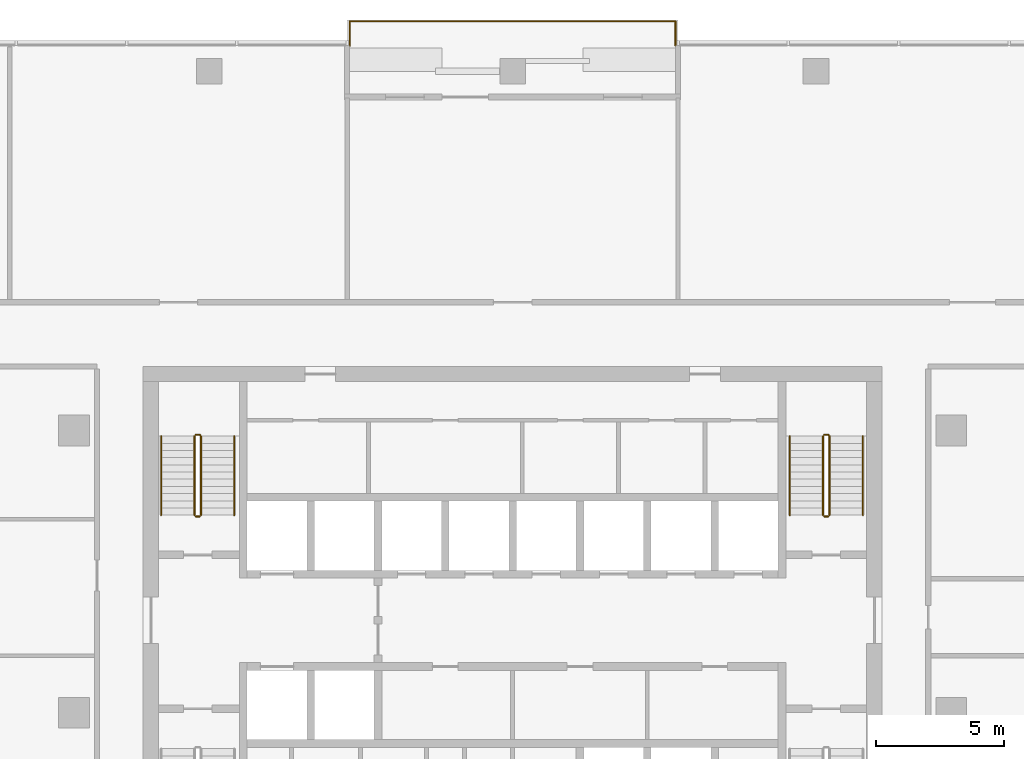
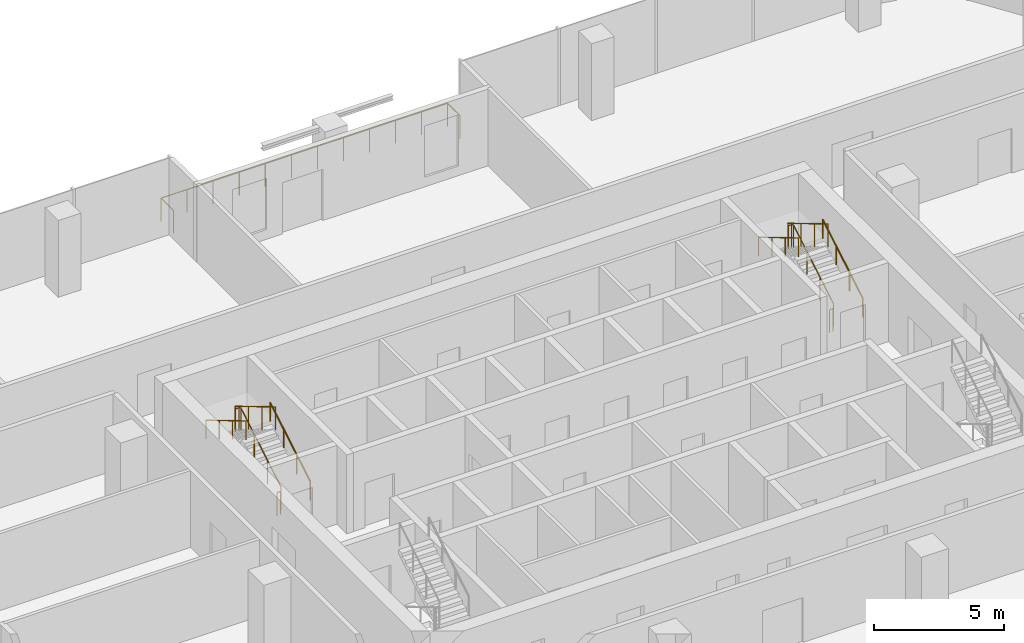
# One storey, part 13 of 13: 11 railings.
"""IFC4 building model written with IfcOpenShell, lengths in metres."""

from ifc_helpers import new_model, si_unit, direction, frame, origin, origin_2d, place, context, subcontext, project, spatial, circle, extrude, material, type_object, element, save


model = new_model("IFC4")

# Units and contexts
model_context = context("Model", 3, precision=1e-05, world=origin(), true_north=direction((0.0, 1.0)))
body_context = subcontext(model_context, "Body", "Model", "MODEL_VIEW")
ifc_project = project(units=[si_unit("LENGTHUNIT", "METRE"), si_unit("AREAUNIT", "SQUARE_METRE"), si_unit("VOLUMEUNIT", "CUBIC_METRE"), si_unit("PLANEANGLEUNIT", "RADIAN"), si_unit("MASSUNIT", "GRAM", prefix="KILO")], contexts=[model_context])

# Site, building, storey
site_placement = place(None, origin())
site = spatial("IfcSite", under=ifc_project, at=site_placement, CompositionType="ELEMENT")
building_placement = place(site_placement, origin())
building = spatial("IfcBuilding", under=site, at=building_placement, Name="Mopane Tessera Tower", CompositionType="ELEMENT")
storey_placement = place(building_placement, frame((0.0, 0.0, 271.39990234375)))
storey = spatial("IfcBuildingStorey", under=building, at=storey_placement, Name="L58", CompositionType="ELEMENT", Elevation=271.39990234375)

# Railings
ifc_material_1 = material(Name="Powder-coated steel balustrade", Category="steel")
railing_type_1 = type_object("IfcRailingType", Name="Escape stair guard 1100 mm", PredefinedType="GUARDRAIL", material=ifc_material_1)
railing_1_placement = place(storey_placement, frame((-12.14990234375, 7.699951171875, 0.166748046875)))
element("IfcRailing", 1, at=railing_1_placement, inside=storey, type_object=railing_type_1, Name="L58 ST2 stair guard 1", PredefinedType="GUARDRAIL", context=body_context, shape_type="SweptSolid", body=[
    extrude(circle(Radius=0.02392578125, at=origin_2d()), frame((0.0, 0.0, 1.076171875), z_axis=(0.0, 0.859308565015, 0.511457515432), x_axis=(-1.0, 0.0, 0.0)), (0.0, 0.0, 1.0), 3.58447265625),
    extrude(circle(Radius=0.02392578125, at=origin_2d()), frame((0.0, 3.080078125, 2.9091796875), z_axis=(-0.707106781187, 0.707106781187, 0.0), x_axis=(-0.707106781187, -0.707106781187, 0.0)), (0.0, 0.0, 1.0), 0.07080078125),
    extrude(circle(Radius=0.02392578125, at=origin_2d()), frame((-0.050048828125, 3.130126953125, 2.9091796875), z_axis=(-1.0, 0.0, 0.0), x_axis=(0.0, -1.0, 0.0)), (0.0, 0.0, 1.0), 0.150146484375),
    extrude(circle(Radius=0.02099609375, at=origin_2d()), origin(), (0.0, 0.0, 1.0), 1.052001953125),
    extrude(circle(Radius=0.02099609375, at=origin_2d()), frame((0.0, 1.026611328125, 0.611083984375)), (0.0, 0.0, 1.0), 1.052001953125),
    extrude(circle(Radius=0.02099609375, at=origin_2d()), frame((0.0, 2.053466796875, 1.22216796875)), (0.0, 0.0, 1.0), 1.052001953125),
    extrude(circle(Radius=0.02099609375, at=origin_2d()), frame((0.0, 3.080078125, 1.833251953125)), (0.0, 0.0, 1.0), 1.052001953125),
    extrude(circle(Radius=0.02099609375, at=origin_2d()), frame((-0.050048828125, 3.130126953125, 1.833251953125)), (0.0, 0.0, 1.0), 1.052001953125),
    extrude(circle(Radius=0.02099609375, at=origin_2d()), frame((-0.2001953125, 3.130126953125, 1.833251953125)), (0.0, 0.0, 1.0), 1.052001953125),
])
railing_2_placement = place(storey_placement, frame((-12.39990234375, 10.780029296875, 2.166748046875)))
element("IfcRailing", 2, at=railing_2_placement, inside=storey, type_object=railing_type_1, Name="L58 ST2 stair guard 2", PredefinedType="GUARDRAIL", context=body_context, shape_type="SweptSolid", body=[
    extrude(circle(Radius=0.02392578125, at=origin_2d()), frame((0.0, 0.0, 1.076171875), z_axis=(0.0, -0.859308565015, 0.511457515432), x_axis=(1.0, 0.0, 0.0)), (0.0, 0.0, 1.0), 3.58447265625),
    extrude(circle(Radius=0.02099609375, at=origin_2d()), origin(), (0.0, 0.0, 1.0), 1.052001953125),
    extrude(circle(Radius=0.02099609375, at=origin_2d()), frame((0.0, -1.026611328125, 0.611083984375)), (0.0, 0.0, 1.0), 1.052001953125),
    extrude(circle(Radius=0.02099609375, at=origin_2d()), frame((0.0, -2.053466796875, 1.22216796875)), (0.0, 0.0, 1.0), 1.052001953125),
    extrude(circle(Radius=0.02099609375, at=origin_2d()), frame((0.0, -3.080078125, 1.833251953125)), (0.0, 0.0, 1.0), 1.052001953125),
])
railing_3_placement = place(storey_placement, frame((-12.199951171875, 7.64990234375, 0.0)))
element("IfcRailing", 3, at=railing_3_placement, inside=storey, type_object=railing_type_1, Name="L58 ST2 stair guard 3", PredefinedType="GUARDRAIL", context=body_context, shape_type="SweptSolid", body=[
    extrude(circle(Radius=0.02392578125, at=origin_2d()), frame((0.0, 0.0, 1.076171875), z_axis=(-1.0, 0.0, 0.0), x_axis=(0.0, -1.0, 0.0)), (0.0, 0.0, 1.0), 0.150146484375),
    extrude(circle(Radius=0.02099609375, at=origin_2d()), origin(), (0.0, 0.0, 1.0), 1.052001953125),
    extrude(circle(Radius=0.02099609375, at=origin_2d()), frame((-0.150146484375, 0.0, 0.0)), (0.0, 0.0, 1.0), 1.052001953125),
])
railing_4_placement = place(storey_placement, frame((12.35009765625, 7.699951171875, 0.166748046875)))
element("IfcRailing", 4, at=railing_4_placement, inside=storey, type_object=railing_type_1, Name="L58 ST4 stair guard 1", PredefinedType="GUARDRAIL", context=body_context, shape_type="SweptSolid", body=[
    extrude(circle(Radius=0.02392578125, at=origin_2d()), frame((0.0, 0.0, 1.076171875), z_axis=(0.0, 0.859308565015, 0.511457515432), x_axis=(-1.0, 0.0, 0.0)), (0.0, 0.0, 1.0), 3.58447265625),
    extrude(circle(Radius=0.02392578125, at=origin_2d()), frame((0.0, 3.080078125, 2.9091796875), z_axis=(-0.707106781187, 0.707106781187, 0.0), x_axis=(-0.707106781187, -0.707106781187, 0.0)), (0.0, 0.0, 1.0), 0.07080078125),
    extrude(circle(Radius=0.02392578125, at=origin_2d()), frame((-0.050048828125, 3.130126953125, 2.9091796875), z_axis=(-1.0, 0.0, 0.0), x_axis=(0.0, -1.0, 0.0)), (0.0, 0.0, 1.0), 0.150146484375),
    extrude(circle(Radius=0.02099609375, at=origin_2d()), origin(), (0.0, 0.0, 1.0), 1.052001953125),
    extrude(circle(Radius=0.02099609375, at=origin_2d()), frame((0.0, 1.026611328125, 0.611083984375)), (0.0, 0.0, 1.0), 1.052001953125),
    extrude(circle(Radius=0.02099609375, at=origin_2d()), frame((0.0, 2.053466796875, 1.22216796875)), (0.0, 0.0, 1.0), 1.052001953125),
    extrude(circle(Radius=0.02099609375, at=origin_2d()), frame((0.0, 3.080078125, 1.833251953125)), (0.0, 0.0, 1.0), 1.052001953125),
    extrude(circle(Radius=0.02099609375, at=origin_2d()), frame((-0.050048828125, 3.130126953125, 1.833251953125)), (0.0, 0.0, 1.0), 1.052001953125),
    extrude(circle(Radius=0.02099609375, at=origin_2d()), frame((-0.2001953125, 3.130126953125, 1.833251953125)), (0.0, 0.0, 1.0), 1.052001953125),
])
railing_5_placement = place(storey_placement, frame((12.10009765625, 10.780029296875, 2.166748046875)))
element("IfcRailing", 5, at=railing_5_placement, inside=storey, type_object=railing_type_1, Name="L58 ST4 stair guard 2", PredefinedType="GUARDRAIL", context=body_context, shape_type="SweptSolid", body=[
    extrude(circle(Radius=0.02392578125, at=origin_2d()), frame((0.0, 0.0, 1.076171875), z_axis=(0.0, -0.859308565015, 0.511457515432), x_axis=(1.0, 0.0, 0.0)), (0.0, 0.0, 1.0), 3.58447265625),
    extrude(circle(Radius=0.02099609375, at=origin_2d()), origin(), (0.0, 0.0, 1.0), 1.052001953125),
    extrude(circle(Radius=0.02099609375, at=origin_2d()), frame((0.0, -1.026611328125, 0.611083984375)), (0.0, 0.0, 1.0), 1.052001953125),
    extrude(circle(Radius=0.02099609375, at=origin_2d()), frame((0.0, -2.053466796875, 1.22216796875)), (0.0, 0.0, 1.0), 1.052001953125),
    extrude(circle(Radius=0.02099609375, at=origin_2d()), frame((0.0, -3.080078125, 1.833251953125)), (0.0, 0.0, 1.0), 1.052001953125),
])
railing_6_placement = place(storey_placement, frame((12.300048828125, 7.64990234375, 0.0)))
element("IfcRailing", 6, at=railing_6_placement, inside=storey, type_object=railing_type_1, Name="L58 ST4 stair guard 3", PredefinedType="GUARDRAIL", context=body_context, shape_type="SweptSolid", body=[
    extrude(circle(Radius=0.02392578125, at=origin_2d()), frame((0.0, 0.0, 1.076171875), z_axis=(-1.0, 0.0, 0.0), x_axis=(0.0, -1.0, 0.0)), (0.0, 0.0, 1.0), 0.150146484375),
    extrude(circle(Radius=0.02099609375, at=origin_2d()), origin(), (0.0, 0.0, 1.0), 1.052001953125),
    extrude(circle(Radius=0.02099609375, at=origin_2d()), frame((-0.150146484375, 0.0, 0.0)), (0.0, 0.0, 1.0), 1.052001953125),
])
ifc_material_2 = material(Name="Powder-coated steel balustrade", Category="steel")
railing_type_2 = type_object("IfcRailingType", Name="Escape stair handrail 900 mm", PredefinedType="HANDRAIL", material=ifc_material_2)
railing_7_placement = place(storey_placement, frame((-10.85009765625, 7.699951171875, 0.166748046875)))
element("IfcRailing", 7, at=railing_7_placement, inside=storey, type_object=railing_type_2, Name="L58 ST2 stair handrail 1", PredefinedType="HANDRAIL", context=body_context, shape_type="SweptSolid", body=[
    extrude(circle(Radius=0.02392578125, at=origin_2d()), frame((0.0, 0.0, 0.8759765625), z_axis=(0.0, 0.859308565015, 0.511457515432), x_axis=(-1.0, 0.0, 0.0)), (0.0, 0.0, 1.0), 3.58447265625),
    extrude(circle(Radius=0.02099609375, at=origin_2d()), origin(), (0.0, 0.0, 1.0), 0.851806640625),
    extrude(circle(Radius=0.02099609375, at=origin_2d()), frame((0.0, 1.026611328125, 0.611083984375)), (0.0, 0.0, 1.0), 0.851806640625),
    extrude(circle(Radius=0.02099609375, at=origin_2d()), frame((0.0, 2.053466796875, 1.22216796875)), (0.0, 0.0, 1.0), 0.851806640625),
    extrude(circle(Radius=0.02099609375, at=origin_2d()), frame((0.0, 3.080078125, 1.833251953125)), (0.0, 0.0, 1.0), 0.851806640625),
])
railing_8_placement = place(storey_placement, frame((-13.699951171875, 10.780029296875, 2.166748046875)))
element("IfcRailing", 8, at=railing_8_placement, inside=storey, type_object=railing_type_2, Name="L58 ST2 stair handrail 2", PredefinedType="HANDRAIL", context=body_context, shape_type="SweptSolid", body=[
    extrude(circle(Radius=0.02392578125, at=origin_2d()), frame((0.0, 0.0, 0.8759765625), z_axis=(0.0, -0.859308565015, 0.511457515432), x_axis=(1.0, 0.0, 0.0)), (0.0, 0.0, 1.0), 3.58447265625),
    extrude(circle(Radius=0.02099609375, at=origin_2d()), origin(), (0.0, 0.0, 1.0), 0.851806640625),
    extrude(circle(Radius=0.02099609375, at=origin_2d()), frame((0.0, -1.026611328125, 0.611083984375)), (0.0, 0.0, 1.0), 0.851806640625),
    extrude(circle(Radius=0.02099609375, at=origin_2d()), frame((0.0, -2.053466796875, 1.22216796875)), (0.0, 0.0, 1.0), 0.851806640625),
    extrude(circle(Radius=0.02099609375, at=origin_2d()), frame((0.0, -3.080078125, 1.833251953125)), (0.0, 0.0, 1.0), 0.851806640625),
])
railing_9_placement = place(storey_placement, frame((13.64990234375, 7.699951171875, 0.166748046875)))
element("IfcRailing", 9, at=railing_9_placement, inside=storey, type_object=railing_type_2, Name="L58 ST4 stair handrail 1", PredefinedType="HANDRAIL", context=body_context, shape_type="SweptSolid", body=[
    extrude(circle(Radius=0.02392578125, at=origin_2d()), frame((0.0, 0.0, 0.8759765625), z_axis=(0.0, 0.859308565015, 0.511457515432), x_axis=(-1.0, 0.0, 0.0)), (0.0, 0.0, 1.0), 3.58447265625),
    extrude(circle(Radius=0.02099609375, at=origin_2d()), origin(), (0.0, 0.0, 1.0), 0.851806640625),
    extrude(circle(Radius=0.02099609375, at=origin_2d()), frame((0.0, 1.026611328125, 0.611083984375)), (0.0, 0.0, 1.0), 0.851806640625),
    extrude(circle(Radius=0.02099609375, at=origin_2d()), frame((0.0, 2.053466796875, 1.22216796875)), (0.0, 0.0, 1.0), 0.851806640625),
    extrude(circle(Radius=0.02099609375, at=origin_2d()), frame((0.0, 3.080078125, 1.833251953125)), (0.0, 0.0, 1.0), 0.851806640625),
])
railing_10_placement = place(storey_placement, frame((10.800048828125, 10.780029296875, 2.166748046875)))
element("IfcRailing", 10, at=railing_10_placement, inside=storey, type_object=railing_type_2, Name="L58 ST4 stair handrail 2", PredefinedType="HANDRAIL", context=body_context, shape_type="SweptSolid", body=[
    extrude(circle(Radius=0.02392578125, at=origin_2d()), frame((0.0, 0.0, 0.8759765625), z_axis=(0.0, -0.859308565015, 0.511457515432), x_axis=(1.0, 0.0, 0.0)), (0.0, 0.0, 1.0), 3.58447265625),
    extrude(circle(Radius=0.02099609375, at=origin_2d()), origin(), (0.0, 0.0, 1.0), 0.851806640625),
    extrude(circle(Radius=0.02099609375, at=origin_2d()), frame((0.0, -1.026611328125, 0.611083984375)), (0.0, 0.0, 1.0), 0.851806640625),
    extrude(circle(Radius=0.02099609375, at=origin_2d()), frame((0.0, -2.053466796875, 1.22216796875)), (0.0, 0.0, 1.0), 0.851806640625),
    extrude(circle(Radius=0.02099609375, at=origin_2d()), frame((0.0, -3.080078125, 1.833251953125)), (0.0, 0.0, 1.0), 0.851806640625),
])
ifc_material_3 = material(Name="Stainless steel S316", Category="steel")
railing_type_3 = type_object("IfcRailingType", Name="Terrace guard 1100", PredefinedType="GUARDRAIL", material=ifc_material_3)
railing_11_placement = place(storey_placement, frame((6.35009765625, 26.0, 0.0)))
element("IfcRailing", 11, at=railing_11_placement, inside=storey, type_object=railing_type_3, Name="e:nw:L58:N2:guard", PredefinedType="GUARDRAIL", context=body_context, shape_type="SweptSolid", body=[
    extrude(circle(Radius=0.02392578125, at=origin_2d()), frame((0.0, 0.0, 1.076171875), z_axis=(0.0, 1.0, 0.0), x_axis=(-1.0, 0.0, 0.0)), (0.0, 0.0, 1.0), 0.949951171875),
    extrude(circle(Radius=0.02392578125, at=origin_2d()), frame((0.0, 0.949951171875, 1.076171875), z_axis=(-1.0, 0.0, 0.0), x_axis=(0.0, -1.0, 0.0)), (0.0, 0.0, 1.0), 12.7001953125),
    extrude(circle(Radius=0.02392578125, at=origin_2d()), frame((-12.7001953125, 0.949951171875, 1.076171875), z_axis=(0.0, -1.0, 0.0), x_axis=(1.0, 0.0, 0.0)), (0.0, 0.0, 1.0), 0.949951171875),
    extrude(circle(Radius=0.02099609375, at=origin_2d()), origin(), (0.0, 0.0, 1.0), 1.052001953125),
    extrude(circle(Radius=0.02099609375, at=origin_2d()), frame((0.0, 0.949951171875, 0.0)), (0.0, 0.0, 1.0), 1.052001953125),
    extrude(circle(Radius=0.02099609375, at=origin_2d()), frame((-1.154541015625, 0.949951171875, 0.0)), (0.0, 0.0, 1.0), 1.052001953125),
    extrude(circle(Radius=0.02099609375, at=origin_2d()), frame((-2.30908203125, 0.949951171875, 0.0)), (0.0, 0.0, 1.0), 1.052001953125),
    extrude(circle(Radius=0.02099609375, at=origin_2d()), frame((-3.463623046875, 0.949951171875, 0.0)), (0.0, 0.0, 1.0), 1.052001953125),
    extrude(circle(Radius=0.02099609375, at=origin_2d()), frame((-4.6181640625, 0.949951171875, 0.0)), (0.0, 0.0, 1.0), 1.052001953125),
    extrude(circle(Radius=0.02099609375, at=origin_2d()), frame((-5.772705078125, 0.949951171875, 0.0)), (0.0, 0.0, 1.0), 1.052001953125),
    extrude(circle(Radius=0.02099609375, at=origin_2d()), frame((-6.927490234375, 0.949951171875, 0.0)), (0.0, 0.0, 1.0), 1.052001953125),
    extrude(circle(Radius=0.02099609375, at=origin_2d()), frame((-8.08203125, 0.949951171875, 0.0)), (0.0, 0.0, 1.0), 1.052001953125),
    extrude(circle(Radius=0.02099609375, at=origin_2d()), frame((-9.236572265625, 0.949951171875, 0.0)), (0.0, 0.0, 1.0), 1.052001953125),
    extrude(circle(Radius=0.02099609375, at=origin_2d()), frame((-10.39111328125, 0.949951171875, 0.0)), (0.0, 0.0, 1.0), 1.052001953125),
    extrude(circle(Radius=0.02099609375, at=origin_2d()), frame((-11.545654296875, 0.949951171875, 0.0)), (0.0, 0.0, 1.0), 1.052001953125),
    extrude(circle(Radius=0.02099609375, at=origin_2d()), frame((-12.7001953125, 0.949951171875, 0.0)), (0.0, 0.0, 1.0), 1.052001953125),
    extrude(circle(Radius=0.02099609375, at=origin_2d()), frame((-12.7001953125, 0.0, 0.0)), (0.0, 0.0, 1.0), 1.052001953125),
])

save(model, "model.ifc")
